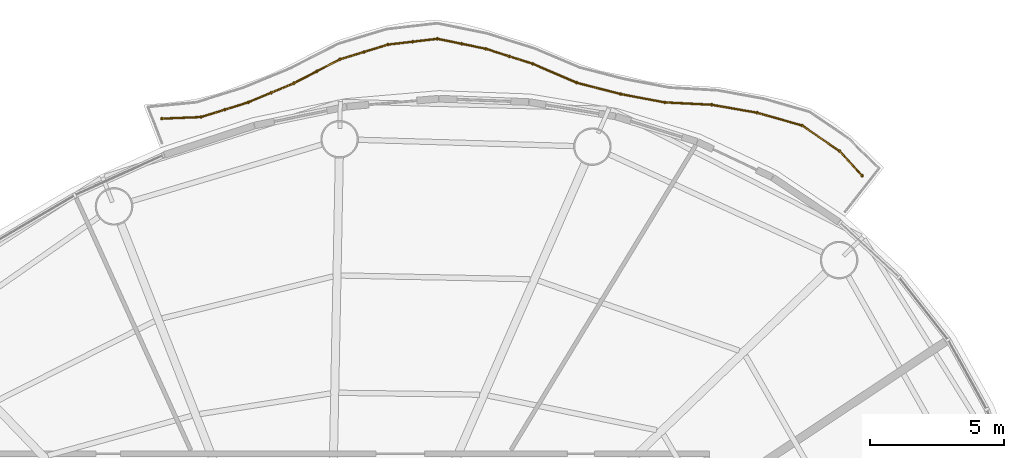
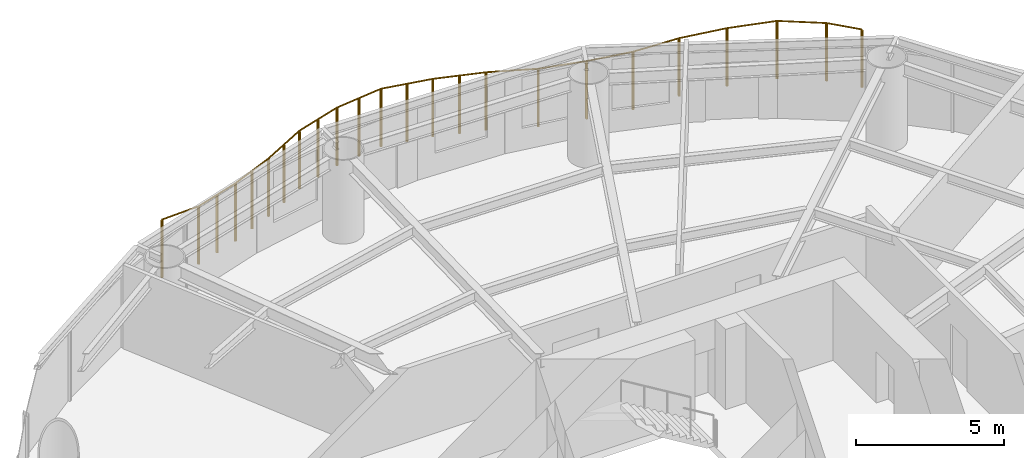
# One storey, part 15 of 15: 1 railing.
"""IFC4 building model written with IfcOpenShell, lengths in metres."""

from ifc_helpers import new_model, si_unit, direction, frame, origin, origin_2d, place, context, subcontext, project, spatial, circle, extrude, material, type_object, element, save


model = new_model("IFC4")

# Units and contexts
model_context = context("Model", 3, precision=1e-05, world=origin(), true_north=direction((0.0, 1.0)))
body_context = subcontext(model_context, "Body", "Model", "MODEL_VIEW")
ifc_project = project(units=[si_unit("LENGTHUNIT", "METRE"), si_unit("AREAUNIT", "SQUARE_METRE"), si_unit("VOLUMEUNIT", "CUBIC_METRE"), si_unit("PLANEANGLEUNIT", "RADIAN"), si_unit("MASSUNIT", "GRAM", prefix="KILO")], contexts=[model_context])

# Site, building, storey
site_placement = place(None, origin())
site = spatial("IfcSite", under=ifc_project, at=site_placement, CompositionType="ELEMENT")
building_placement = place(site_placement, origin())
building = spatial("IfcBuilding", under=site, at=building_placement, Name="Vermilion Reach Broadcast Tower", CompositionType="ELEMENT")
storey_placement = place(building_placement, frame((0.0, 0.0, 168.60009765625)))
storey = spatial("IfcBuildingStorey", under=building, at=storey_placement, Name="L40", CompositionType="ELEMENT", Elevation=168.60009765625)

# Railing
ifc_material = material(Name="Terracotta baguette", Category="masonry")
railing_type = type_object("IfcRailingType", Name="BAGUETTE SCREEN", PredefinedType="USERDEFINED", material=ifc_material)
railing_placement = place(storey_placement, frame((13.8798828125, 21.44287109375, 0.0)))
element("IfcRailing", 1, at=railing_placement, inside=storey, type_object=railing_type, Name="Baguette screen L40 group 1", ObjectType="BAGUETTE SCREEN", PredefinedType="USERDEFINED", context=body_context, shape_type="SweptSolid", body=[
    extrude(circle(Radius=0.030029296875, at=origin_2d()), frame((0.0, 0.0, 2.369873046875), z_axis=(-0.675742336455, 0.737137907533, 0.0), x_axis=(-0.737137907533, -0.675742336455, 0.0)), (0.0, 0.0, 1.0), 1.24853515625),
    extrude(circle(Radius=0.030029296875, at=origin_2d()), frame((-0.84375, 0.92041015625, 2.369873046875), z_axis=(-0.82567731696, 0.564142684307, 0.0), x_axis=(-0.564142684307, -0.82567731696, 0.0)), (0.0, 0.0, 1.0), 1.68212890625),
    extrude(circle(Radius=0.030029296875, at=origin_2d()), frame((-2.232666015625, 1.869384765625, 2.369873046875), z_axis=(-0.962151884945, 0.272513761663, 0.0), x_axis=(-0.272513761663, -0.962151884945, 0.0)), (0.0, 0.0, 1.0), 1.739013671875),
    extrude(circle(Radius=0.030029296875, at=origin_2d()), frame((-3.90576171875, 2.34326171875, 2.369873046875), z_axis=(-0.984987579759, 0.172625223304, 0.0), x_axis=(-0.172625223304, -0.984987579759, 0.0)), (0.0, 0.0, 1.0), 1.717041015625),
    extrude(circle(Radius=0.030029296875, at=origin_2d()), frame((-5.596923828125, 2.6396484375, 2.369873046875), z_axis=(-0.998736625497, 0.050250899396, 0.0), x_axis=(-0.050250899396, -0.998736625497, 0.0)), (0.0, 0.0, 1.0), 1.7490234375),
    extrude(circle(Radius=0.030029296875, at=origin_2d()), frame((-7.34375, 2.7275390625, 2.369873046875), z_axis=(-0.982597844762, 0.185745727994, 0.0), x_axis=(-0.185745727994, -0.982597844762, 0.0)), (0.0, 0.0, 1.0), 1.65869140625),
    extrude(circle(Radius=0.030029296875, at=origin_2d()), frame((-8.9736328125, 3.03564453125, 2.369873046875), z_axis=(-0.968287426347, 0.249838868028, 0.0), x_axis=(-0.249838868028, -0.968287426347, 0.0)), (0.0, 0.0, 1.0), 1.697265625),
    extrude(circle(Radius=0.030029296875, at=origin_2d()), frame((-10.6171875, 3.459716796875, 2.369873046875), z_axis=(-0.918540030475, 0.395327980815, 0.0), x_axis=(-0.395327980815, -0.918540030475, 0.0)), (0.0, 0.0, 1.0), 1.77734375),
    extrude(circle(Radius=0.030029296875, at=origin_2d()), frame((-12.249755859375, 4.162353515625, 2.369873046875), z_axis=(-0.952339229566, 0.30504096746, 0.0), x_axis=(-0.30504096746, -0.952339229566, 0.0)), (0.0, 0.0, 1.0), 1.8369140625),
    extrude(circle(Radius=0.030029296875, at=origin_2d()), frame((-13.9990234375, 4.72265625, 2.369873046875), z_axis=(-0.979494034937, 0.201473163284, 0.0), x_axis=(-0.201473163284, -0.979494034937, 0.0)), (0.0, 0.0, 1.0), 1.839599609375),
    extrude(circle(Radius=0.030029296875, at=origin_2d()), frame((-15.80078125, 5.09326171875, 2.369873046875), z_axis=(-0.993243690264, -0.116047282397, 0.0), x_axis=(0.116047282397, -0.993243690264, 0.0)), (0.0, 0.0, 1.0), 1.85546875),
    extrude(circle(Radius=0.030029296875, at=origin_2d()), frame((-17.643798828125, 4.8779296875, 2.369873046875), z_axis=(-0.955965614321, -0.293478694688, 0.0), x_axis=(0.293478694688, -0.955965614321, 0.0)), (0.0, 0.0, 1.0), 1.864990234375),
    extrude(circle(Radius=0.030029296875, at=origin_2d()), frame((-19.4267578125, 4.33056640625, 2.369873046875), z_axis=(-0.887318141927, -0.461157798381, 0.0), x_axis=(0.461157798381, -0.887318141927, 0.0)), (0.0, 0.0, 1.0), 1.932373046875),
    extrude(circle(Radius=0.030029296875, at=origin_2d()), frame((-21.141357421875, 3.439453125, 2.369873046875), z_axis=(-0.922742929841, -0.385415990106, 0.0), x_axis=(0.385415990106, -0.922742929841, 0.0)), (0.0, 0.0, 1.0), 1.840087890625),
    extrude(circle(Radius=0.030029296875, at=origin_2d()), frame((-22.83935546875, 2.730224609375, 2.369873046875), z_axis=(-0.954363869467, -0.298646286861, 0.0), x_axis=(0.298646286861, -0.954363869467, 0.0)), (0.0, 0.0, 1.0), 1.83447265625),
    extrude(circle(Radius=0.030029296875, at=origin_2d()), frame((-24.590087890625, 2.182373046875, 2.369873046875), z_axis=(-0.9991686088, -0.0407687526, 0.0), x_axis=(0.0407687526, -0.9991686088, 0.0)), (0.0, 0.0, 1.0), 1.461181640625),
    extrude(circle(Radius=0.050048828125, at=origin_2d()), origin(), (0.0, 0.0, 1.0), 2.33984375),
    extrude(circle(Radius=0.050048828125, at=origin_2d()), frame((-0.84375, 0.92041015625, 0.0)), (0.0, 0.0, 1.0), 2.33984375),
    extrude(circle(Radius=0.050048828125, at=origin_2d()), frame((-2.232666015625, 1.869384765625, 0.0)), (0.0, 0.0, 1.0), 2.33984375),
    extrude(circle(Radius=0.050048828125, at=origin_2d()), frame((-3.90576171875, 2.34326171875, 0.0)), (0.0, 0.0, 1.0), 2.33984375),
    extrude(circle(Radius=0.050048828125, at=origin_2d()), frame((-5.596923828125, 2.6396484375, 0.0)), (0.0, 0.0, 1.0), 2.33984375),
    extrude(circle(Radius=0.050048828125, at=origin_2d()), frame((-7.34375, 2.7275390625, 0.0)), (0.0, 0.0, 1.0), 2.33984375),
    extrude(circle(Radius=0.050048828125, at=origin_2d()), frame((-8.9736328125, 3.03564453125, 0.0)), (0.0, 0.0, 1.0), 2.33984375),
    extrude(circle(Radius=0.050048828125, at=origin_2d()), frame((-10.6171875, 3.459716796875, 0.0)), (0.0, 0.0, 1.0), 2.33984375),
    extrude(circle(Radius=0.050048828125, at=origin_2d()), frame((-12.249755859375, 4.162353515625, 0.0)), (0.0, 0.0, 1.0), 2.33984375),
    extrude(circle(Radius=0.050048828125, at=origin_2d()), frame((-13.12451171875, 4.4423828125, 0.0)), (0.0, 0.0, 1.0), 2.33984375),
    extrude(circle(Radius=0.050048828125, at=origin_2d()), frame((-13.9990234375, 4.72265625, 0.0)), (0.0, 0.0, 1.0), 2.33984375),
    extrude(circle(Radius=0.050048828125, at=origin_2d()), frame((-14.89990234375, 4.907958984375, 0.0)), (0.0, 0.0, 1.0), 2.33984375),
    extrude(circle(Radius=0.050048828125, at=origin_2d()), frame((-15.80078125, 5.09326171875, 0.0)), (0.0, 0.0, 1.0), 2.33984375),
    extrude(circle(Radius=0.050048828125, at=origin_2d()), frame((-16.72216796875, 4.985595703125, 0.0)), (0.0, 0.0, 1.0), 2.33984375),
    extrude(circle(Radius=0.050048828125, at=origin_2d()), frame((-17.643798828125, 4.8779296875, 0.0)), (0.0, 0.0, 1.0), 2.33984375),
    extrude(circle(Radius=0.050048828125, at=origin_2d()), frame((-18.53515625, 4.604248046875, 0.0)), (0.0, 0.0, 1.0), 2.33984375),
    extrude(circle(Radius=0.050048828125, at=origin_2d()), frame((-19.4267578125, 4.33056640625, 0.0)), (0.0, 0.0, 1.0), 2.33984375),
    extrude(circle(Radius=0.050048828125, at=origin_2d()), frame((-20.2841796875, 3.885009765625, 0.0)), (0.0, 0.0, 1.0), 2.33984375),
    extrude(circle(Radius=0.050048828125, at=origin_2d()), frame((-21.141357421875, 3.439453125, 0.0)), (0.0, 0.0, 1.0), 2.33984375),
    extrude(circle(Radius=0.050048828125, at=origin_2d()), frame((-21.990234375, 3.0849609375, 0.0)), (0.0, 0.0, 1.0), 2.33984375),
    extrude(circle(Radius=0.050048828125, at=origin_2d()), frame((-22.83935546875, 2.730224609375, 0.0)), (0.0, 0.0, 1.0), 2.33984375),
    extrude(circle(Radius=0.050048828125, at=origin_2d()), frame((-23.71484375, 2.456298828125, 0.0)), (0.0, 0.0, 1.0), 2.33984375),
    extrude(circle(Radius=0.050048828125, at=origin_2d()), frame((-24.590087890625, 2.182373046875, 0.0)), (0.0, 0.0, 1.0), 2.33984375),
    extrude(circle(Radius=0.050048828125, at=origin_2d()), frame((-26.050048828125, 2.122802734375, 0.0)), (0.0, 0.0, 1.0), 2.33984375),
])

save(model, "model.ifc")
